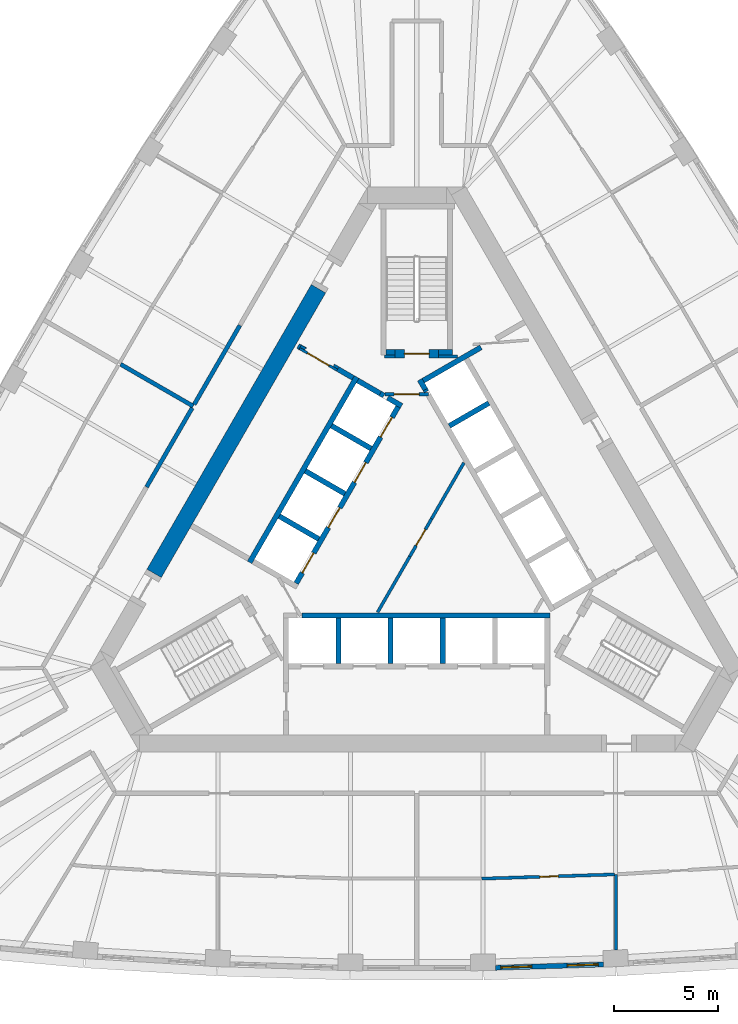
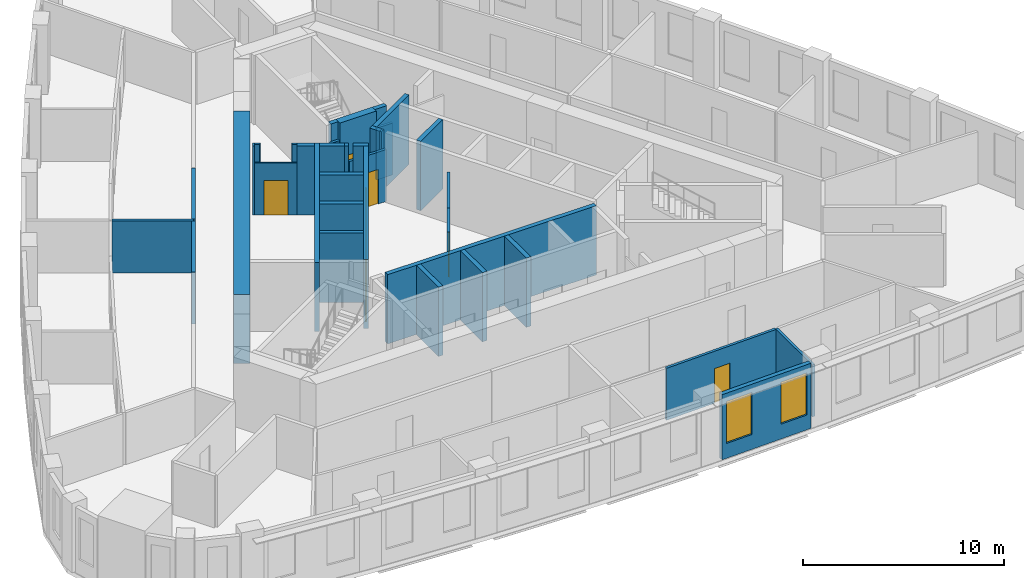
# One storey, part 5 of 10: 37 walls, 9 doors, 2 windows, 11 openings.
"""IFC4 building model written with IfcOpenShell, lengths in metres."""

from ifc_helpers import new_model, si_unit, direction, frame, frame_2d, origin, place, context, subcontext, project, spatial, polyline, rectangle, outline, extrude, material, layer, layer_set, type_object, element, fill, save


model = new_model("IFC4")

# Units and contexts
model_context = context("Model", 3, precision=1e-05, world=origin(), true_north=direction((0.0, 1.0)))
body_context = subcontext(model_context, "Body", "Model", "MODEL_VIEW")
ifc_project = project(units=[si_unit("LENGTHUNIT", "METRE"), si_unit("AREAUNIT", "SQUARE_METRE"), si_unit("VOLUMEUNIT", "CUBIC_METRE"), si_unit("PLANEANGLEUNIT", "RADIAN"), si_unit("MASSUNIT", "GRAM", prefix="KILO")], contexts=[model_context])

# Site, building, storey
site_placement = place(None, origin())
site = spatial("IfcSite", under=ifc_project, at=site_placement, CompositionType="ELEMENT")
building_placement = place(site_placement, origin())
building = spatial("IfcBuilding", under=site, at=building_placement, Name="Mestral Congress Tower", CompositionType="ELEMENT")
storey_placement = place(building_placement, frame((0.0, 0.0, 154.199951171875)))
storey = spatial("IfcBuildingStorey", under=building, at=storey_placement, Name="L36", CompositionType="ELEMENT", Elevation=154.199951171875)

# Walls
ifc_material_1 = material(Name="Fire-rated board partition")
ifc_layer_1 = layer(ifc_material_1, 0.14990234375)
ifc_layer_set_1 = layer_set([ifc_layer_1], Name="Fire-rated board partition")
wall_type_1 = type_object("IfcWallType", Name="Core partition 150", PredefinedType="PARTITIONING", material=ifc_layer_set_1)
wall_1_placement = place(storey_placement, frame((1.050048828125, 8.62548828125, 0.0), z_axis=(0.0, 0.0, 1.0), x_axis=(1.0, 0.0, 0.0)))
element("IfcWall", 1, at=wall_1_placement, inside=storey, type_object=wall_type_1, Name="L36 core wall", PredefinedType="PARTITIONING", context=body_context, shape_type="SweptSolid", body=[
    extrude(rectangle(XDim=0.9287109375, YDim=0.14990234375, at=frame_2d((0.46435546875, 0.0))), origin(), (0.0, 0.0, 1.0), 3.150146484375),
])
wall_2_placement = place(storey_placement, frame((-1.56396484375, 8.62548828125, 0.0), z_axis=(0.0, 0.0, 1.0), x_axis=(1.0, 0.0, 0.0)))
element("IfcWall", 2, at=wall_2_placement, inside=storey, type_object=wall_type_1, Name="L36 core wall", PredefinedType="PARTITIONING", context=body_context, shape_type="SweptSolid", body=[
    extrude(rectangle(XDim=0.513916015625, YDim=0.14990234375, at=frame_2d((0.2568359375, 0.0))), origin(), (0.0, 0.0, 1.0), 3.150146484375),
])
wall_3_placement = place(storey_placement, frame((-1.886962890625, -3.71826171875, 0.0), z_axis=(0.0, 0.0, 1.0), x_axis=(0.500043732237, 0.866000153493, 0.0)))
element("IfcWall", 3, at=wall_3_placement, inside=storey, type_object=wall_type_1, Name="L36 core wall", PredefinedType="PARTITIONING", context=body_context, shape_type="SweptSolid", body=[
    extrude(rectangle(XDim=3.113525390625, YDim=0.14990234375, at=frame_2d((1.556640625, 0.0))), origin(), (0.0, 0.0, 1.0), 3.150146484375),
])
wall_4_placement = place(storey_placement, frame((0.719970703125, 0.796875, 0.0), z_axis=(0.0, 0.0, 1.0), x_axis=(0.499984921984, 0.866034108906, 0.0)))
element("IfcWall", 4, at=wall_4_placement, inside=storey, type_object=wall_type_1, Name="L36 core wall", PredefinedType="PARTITIONING", context=body_context, shape_type="SweptSolid", body=[
    extrude(rectangle(XDim=3.11328125, YDim=0.14990234375, at=frame_2d((1.556640625, 0.0))), origin(), (0.0, 0.0, 1.0), 3.150146484375),
])

# Wall, opening, door
wall_5_placement = place(storey_placement, frame((-0.330078125, -1.021728515625, 0.0), z_axis=(0.0, 0.0, 1.0), x_axis=(0.500027713859, 0.866009402589, 0.0)))
wall_5 = element("IfcWall", 5, at=wall_5_placement, inside=storey, type_object=wall_type_1, Name="L36 door wall", PredefinedType="PARTITIONING", context=body_context, shape_type="SweptSolid", body=[
    extrude(rectangle(XDim=2.10009765625, YDim=0.14990234375, at=frame_2d((1.050048828125, 0.0))), origin(), (0.0, 0.0, 1.0), 3.150146484375),
])
opening_1_placement = place(wall_5_placement, frame((0.60009765625, 0.0, 0.0)))
opening_1 = element("IfcOpeningElement", 6, at=opening_1_placement, cuts=wall_5, Name="Opening CD1-HUB0", PredefinedType="OPENING", context=body_context, shape_type="SweptSolid", body=[
    extrude(rectangle(XDim=0.89990234375, YDim=2.10009765625, at=frame_2d((0.449951171875, 1.050048828125))), frame((0.0, 0.0849609375, 0.0), z_axis=(0.0, -1.0, 0.0), x_axis=(1.0, 0.0, 0.0)), (0.0, 0.0, 1.0), 0.169921875),
])
ifc_material_2 = material(Name="Fire-rated steel door set", Category="steel")
door_type_1 = type_object("IfcDoorType", Name="Core door CD 900x2100", OperationType="SINGLE_SWING_LEFT", PredefinedType="DOOR", material=ifc_material_2)
door_1_placement = place(opening_1_placement, origin())
door_1 = element("IfcDoor", 7, at=door_1_placement, inside=storey, type_object=door_type_1, Name="Door CD1-HUB0", OperationType="SINGLE_SWING_LEFT", OverallHeight=2.10009765625, OverallWidth=0.89990234375, PredefinedType="DOOR", context=body_context, shape_type="SweptSolid", body=[
    extrude(rectangle(XDim=0.89990234375, YDim=2.10009765625, at=frame_2d((0.449951171875, 1.050048828125))), frame((0.0, 0.02490234375, 0.0), z_axis=(0.0, -1.0, 0.0), x_axis=(1.0, 0.0, 0.0)), (0.0, 0.0, 1.0), 0.050048828125),
])
fill(opening_1, door_1)

wall_6_placement = place(storey_placement, frame((-1.534423828125, 6.800048828125, 0.0), z_axis=(0.0, 0.0, 1.0), x_axis=(1.0, 0.0, 0.0)))
wall_6 = element("IfcWall", 8, at=wall_6_placement, inside=storey, type_object=wall_type_1, Name="L36 door wall", PredefinedType="PARTITIONING", context=body_context, shape_type="SweptSolid", body=[
    extrude(rectangle(XDim=2.099853515625, YDim=0.14990234375, at=frame_2d((1.0498046875, 0.0))), origin(), (0.0, 0.0, 1.0), 3.150146484375),
])
opening_2_placement = place(wall_6_placement, frame((0.449951171875, 0.0, 0.0)))
opening_2 = element("IfcOpeningElement", 9, at=opening_2_placement, cuts=wall_6, Name="Opening CD2-FF", PredefinedType="OPENING", context=body_context, shape_type="SweptSolid", body=[
    extrude(rectangle(XDim=1.199951171875, YDim=2.10009765625, at=frame_2d((0.60009765625, 1.050048828125))), frame((0.0, 0.0849609375, 0.0), z_axis=(0.0, -1.0, 0.0), x_axis=(1.0, 0.0, 0.0)), (0.0, 0.0, 1.0), 0.169921875),
])
door_type_2 = type_object("IfcDoorType", Name="Core door CD 1200x2100", OperationType="SINGLE_SWING_LEFT", PredefinedType="DOOR", material=ifc_material_2)
door_2_placement = place(opening_2_placement, origin())
door_2 = element("IfcDoor", 10, at=door_2_placement, inside=storey, type_object=door_type_2, Name="Door CD2-FF", OperationType="SINGLE_SWING_LEFT", OverallHeight=2.10009765625, OverallWidth=1.199951171875, PredefinedType="DOOR", context=body_context, shape_type="SweptSolid", body=[
    extrude(rectangle(XDim=1.199951171875, YDim=2.10009765625, at=frame_2d((0.60009765625, 1.050048828125))), frame((0.0, 0.02490234375, 0.0), z_axis=(0.0, -1.0, 0.0), x_axis=(1.0, 0.0, 0.0)), (0.0, 0.0, 1.0), 0.050048828125),
])
fill(opening_2, door_2)

ifc_layer_2 = layer(ifc_material_1, 0.1201171875)
ifc_layer_set_2 = layer_set([ifc_layer_2], Name="Fire-rated board partition")
wall_type_2 = type_object("IfcWallType", Name="Core partition 150 door-wall 120", PredefinedType="PARTITIONING", material=ifc_layer_set_2)
wall_7_placement = place(storey_placement, frame((-5.65869140625, 9.01171875, 0.0), z_axis=(0.0, 0.0, 1.0), x_axis=(0.866009402589, -0.500027713859, 0.0)))
wall_7 = element("IfcWall", 11, at=wall_7_placement, inside=storey, type_object=wall_type_2, Name="L36 door wall", PredefinedType="PARTITIONING", context=body_context, shape_type="SweptSolid", body=[
    extrude(rectangle(XDim=2.10009765625, YDim=0.1201171875, at=frame_2d((1.050048828125, 0.0))), origin(), (0.0, 0.0, 1.0), 3.150146484375),
])
opening_3_placement = place(wall_7_placement, frame((0.449951171875, 0.0, 0.0)))
opening_3 = element("IfcOpeningElement", 12, at=opening_3_placement, cuts=wall_7, Name="Opening LB2-WL2", PredefinedType="OPENING", context=body_context, shape_type="SweptSolid", body=[
    extrude(rectangle(XDim=1.199951171875, YDim=2.10009765625, at=frame_2d((0.60009765625, 1.050048828125))), frame((0.0, 0.070068359375, 0.0), z_axis=(0.0, -1.0, 0.0), x_axis=(1.0, 0.0, 0.0)), (0.0, 0.0, 1.0), 0.14013671875),
])
door_type_3 = type_object("IfcDoorType", Name="Core door LB 1200x2100", OperationType="SINGLE_SWING_LEFT", PredefinedType="DOOR", material=ifc_material_2)
door_3_placement = place(opening_3_placement, origin())
door_3 = element("IfcDoor", 13, at=door_3_placement, inside=storey, type_object=door_type_3, Name="Door LB2-WL2", OperationType="SINGLE_SWING_LEFT", OverallHeight=2.10009765625, OverallWidth=1.199951171875, PredefinedType="DOOR", context=body_context, shape_type="SweptSolid", body=[
    extrude(rectangle(XDim=1.199951171875, YDim=2.10009765625, at=frame_2d((0.60009765625, 1.050048828125))), frame((0.0, 0.02490234375, 0.0), z_axis=(0.0, -1.0, 0.0), x_axis=(1.0, 0.0, 0.0)), (0.0, 0.0, 1.0), 0.050048828125),
])
fill(opening_3, door_3)

# Wall
ifc_material_3 = material(Name="Concrete C60/75", Category="concrete")
ifc_layer_3 = layer(ifc_material_3, 0.800048828125)
ifc_layer_set_3 = layer_set([ifc_layer_3], Name="Concrete C60/75")
wall_type_3 = type_object("IfcWallType", Name="Core wall RC 800", PredefinedType="SOLIDWALL", material=ifc_layer_set_3)
wall_8_placement = place(storey_placement, frame((-12.668212890625, -1.841796875, 0.0), z_axis=(0.0, 0.0, 1.0), x_axis=(0.500003640647, 0.866023301845, 0.0)))
element("IfcWall", 14, at=wall_8_placement, inside=storey, type_object=wall_type_3, Name="L36 core wall", PredefinedType="SOLIDWALL", context=body_context, shape_type="SweptSolid", body=[
    extrude(rectangle(XDim=15.8583984375, YDim=0.800048828125, at=frame_2d((7.92919921875, 0.0))), origin(), (0.0, 0.0, 1.0), 4.199951171875),
])

# Wall, openings, windows
ifc_material_4 = material(Name="Precast concrete C40/50 with limestone facing", Category="masonry")
ifc_layer_4 = layer(ifc_material_4, 0.239990234375)
ifc_layer_set_4 = layer_set([ifc_layer_4], Name="Precast concrete C40/50 with limestone facing")
wall_type_4 = type_object("IfcWallType", Name="Facade stone wall 240", PredefinedType="SOLIDWALL", material=ifc_layer_set_4)
wall_9_placement = place(storey_placement, frame((3.80615234375, -20.869873046875, 0.0), z_axis=(0.0, 0.0, 1.0), x_axis=(0.999533441983, 0.030543384845, 0.0)))
wall_9 = element("IfcWall", 15, at=wall_9_placement, inside=storey, type_object=wall_type_4, Name="Facade wall F0-04", PredefinedType="SOLIDWALL", context=body_context, shape_type="SweptSolid", body=[
    extrude(rectangle(XDim=5.20361328125, YDim=0.239990234375, at=frame_2d((2.601806640625, 0.0))), origin(), (0.0, 0.0, 1.0), 3.949951171875),
])
opening_4_placement = place(wall_9_placement, frame((0.248291015625, 0.0, 0.89990234375)))
opening_4 = element("IfcOpeningElement", 16, at=opening_4_placement, cuts=wall_9, Name="Opening W4", PredefinedType="OPENING", context=body_context, shape_type="SweptSolid", body=[
    extrude(rectangle(XDim=1.5, YDim=2.550048828125, at=frame_2d((0.75, 1.27490234375))), frame((0.0, 0.1298828125, 0.0), z_axis=(0.0, -1.0, 0.0), x_axis=(1.0, 0.0, 0.0)), (0.0, 0.0, 1.0), 0.260009765625),
])
opening_5_placement = place(wall_9_placement, frame((3.455078125, 0.0, 0.89990234375)))
opening_5 = element("IfcOpeningElement", 17, at=opening_5_placement, cuts=wall_9, Name="Opening W4", PredefinedType="OPENING", context=body_context, shape_type="SweptSolid", body=[
    extrude(rectangle(XDim=1.5, YDim=2.550048828125, at=frame_2d((0.75, 1.27490234375))), frame((0.0, 0.1298828125, 0.0), z_axis=(0.0, -1.0, 0.0), x_axis=(1.0, 0.0, 0.0)), (0.0, 0.0, 1.0), 0.260009765625),
])
ifc_material_5 = material(Name="Clear low-emissivity double glazing", Category="glass")
window_type = type_object("IfcWindowType", Name="Facade punched window 1500 x 2550 sill 900", PartitioningType="SINGLE_PANEL", PredefinedType="WINDOW", material=ifc_material_5)
window_1_placement = place(opening_4_placement, origin())
window_1 = element("IfcWindow", 18, at=window_1_placement, inside=storey, type_object=window_type, Name="Window F0-04a", OverallHeight=2.550048828125, OverallWidth=1.5, PartitioningType="SINGLE_PANEL", PredefinedType="WINDOW", context=body_context, shape_type="SweptSolid", body=[
    extrude(rectangle(XDim=1.5, YDim=2.550048828125, at=frame_2d((0.75, 1.27490234375))), frame((0.0, 0.0400390625, 0.0), z_axis=(0.0, -1.0, 0.0), x_axis=(1.0, 0.0, 0.0)), (0.0, 0.0, 1.0), 0.06005859375),
])
fill(opening_4, window_1)
window_2_placement = place(opening_5_placement, origin())
window_2 = element("IfcWindow", 19, at=window_2_placement, inside=storey, type_object=window_type, Name="Window F0-04b", OverallHeight=2.550048828125, OverallWidth=1.5, PartitioningType="SINGLE_PANEL", PredefinedType="WINDOW", context=body_context, shape_type="SweptSolid", body=[
    extrude(rectangle(XDim=1.5, YDim=2.550048828125, at=frame_2d((0.75, 1.27490234375))), frame((0.0, 0.0400390625, 0.0), z_axis=(0.0, -1.0, 0.0), x_axis=(1.0, 0.0, 0.0)), (0.0, 0.0, 1.0), 0.06005859375),
])
fill(opening_5, window_2)

# Wall
ifc_material_6 = material(Name="Plasterboard partition on steel studs", Category="steel")
ifc_layer_5 = layer(ifc_material_6, 0.14990234375)
ifc_layer_set_5 = layer_set([ifc_layer_5], Name="Plasterboard partition on steel studs")
wall_type_5 = type_object("IfcWallType", Name="Office partition 150", PredefinedType="PARTITIONING", material=ifc_layer_set_5)
wall_10_placement = place(storey_placement, frame((9.6171875, -16.364013671875, 0.0), z_axis=(0.0, 0.0, 1.0), x_axis=(0.0, -1.0, 0.0)))
element("IfcWall", 20, at=wall_10_placement, inside=storey, type_object=wall_type_5, Name="Partition", PredefinedType="PARTITIONING", context=body_context, shape_type="SweptSolid", body=[
    extrude(rectangle(XDim=3.6474609375, YDim=0.14990234375, at=frame_2d((1.82373046875, 0.0))), origin(), (0.0, 0.0, 1.0), 3.150146484375),
])

# Wall, opening, door
wall_11_placement = place(storey_placement, frame((9.542236328125, -16.366455078125, 0.0), z_axis=(0.0, 0.0, 1.0), x_axis=(-0.999504575396, -0.031473858384, 0.0)))
wall_11 = element("IfcWall", 21, at=wall_11_placement, inside=storey, type_object=wall_type_5, Name="Partition", PredefinedType="PARTITIONING", context=body_context, shape_type="SweptSolid", body=[
    extrude(rectangle(XDim=6.4072265625, YDim=0.14990234375, at=frame_2d((3.20361328125, 0.0))), origin(), (0.0, 0.0, 1.0), 3.150146484375),
])
opening_6_placement = place(wall_11_placement, frame((2.707275390625, 0.0, 0.0)))
opening_6 = element("IfcOpeningElement", 22, at=opening_6_placement, cuts=wall_11, Name="Opening O02-001", PredefinedType="OPENING", context=body_context, shape_type="SweptSolid", body=[
    extrude(rectangle(XDim=0.89990234375, YDim=2.10009765625, at=frame_2d((0.449951171875, 1.050048828125))), frame((0.0, 0.0849609375, 0.0), z_axis=(0.0, -1.0, 0.0), x_axis=(1.0, 0.0, 0.0)), (0.0, 0.0, 1.0), 0.169921875),
])
ifc_material_7 = material(Name="Timber door set", Category="wood")
door_type_4 = type_object("IfcDoorType", Name="Office door 900x2100", OperationType="SINGLE_SWING_LEFT", PredefinedType="DOOR", material=ifc_material_7)
door_4_placement = place(opening_6_placement, origin())
door_4 = element("IfcDoor", 23, at=door_4_placement, inside=storey, type_object=door_type_4, Name="Door O02-001", OperationType="SINGLE_SWING_LEFT", OverallHeight=2.10009765625, OverallWidth=0.89990234375, PredefinedType="DOOR", context=body_context, shape_type="SweptSolid", body=[
    extrude(rectangle(XDim=0.89990234375, YDim=2.10009765625, at=frame_2d((0.449951171875, 1.050048828125))), frame((0.0, 0.02490234375, 0.0), z_axis=(0.0, -1.0, 0.0), x_axis=(1.0, 0.0, 0.0)), (0.0, 0.0, 1.0), 0.050048828125),
])
fill(opening_6, door_4)

# Walls
ifc_material_8 = material(Name="Dense masonry wall, plastered", Category="masonry")
ifc_layer_6 = layer(ifc_material_8, 0.199951171875)
ifc_layer_set_6 = layer_set([ifc_layer_6], Name="Dense masonry wall, plastered")
wall_type_6 = type_object("IfcWallType", Name="Office tenancy wall 200", PredefinedType="PARTITIONING", material=ifc_layer_set_6)
wall_12_placement = place(storey_placement, frame((-10.781982421875, 6.22509765625, 0.0), z_axis=(0.0, 0.0, 1.0), x_axis=(-0.866034752867, 0.499983806564, 0.0)))
element("IfcWall", 24, at=wall_12_placement, inside=storey, type_object=wall_type_6, Name="Tenancy wall", PredefinedType="PARTITIONING", context=body_context, shape_type="SweptSolid", body=[
    extrude(rectangle(XDim=4.043212890625, YDim=0.199951171875, at=frame_2d((2.021484375, 0.0))), origin(), (0.0, 0.0, 1.0), 3.150146484375),
])
for number, where, z_axis, x_axis, name in (
    (25, (-8.531982421875, 10.1220703125, 0.0), (0.0, 0.0, 1.0), (-0.499988222896, -0.866032203192, 0.0), "Tenancy wall"),
    (26, (-10.83203125, 6.138427734375, 0.0), (0.0, 0.0, 1.0), (-0.499988222896, -0.866032203192, 0.0), "Tenancy wall"),
):
    element("IfcWall", number, at=place(storey_placement, frame(where, z_axis=z_axis, x_axis=x_axis)), inside=storey, type_object=wall_type_6, Name=name, PredefinedType="PARTITIONING", context=body_context, shape_type="SweptSolid", body=[
        extrude(rectangle(XDim=4.39990234375, YDim=0.199951171875, at=frame_2d((2.199951171875, 0.0))), origin(), (0.0, 0.0, 1.0), 3.150146484375),
    ])
ifc_layer_7 = layer(ifc_material_3, 0.25)
ifc_layer_set_7 = layer_set([ifc_layer_7], Name="Concrete C60/75")
wall_type_7 = type_object("IfcWallType", Name="Shaft wall RC 250", PredefinedType="SOLIDWALL", material=ifc_layer_set_7)
wall_13_placement = place(storey_placement, frame((-5.544921875, -3.875, 0.0), z_axis=(0.0, 0.0, 1.0), x_axis=(1.0, 0.0, 0.0)))
element("IfcWall", 27, at=wall_13_placement, inside=storey, type_object=wall_type_7, Name="L36 core wall", PredefinedType="SOLIDWALL", context=body_context, shape_type="SweptSolid", body=[
    extrude(rectangle(XDim=11.969970703125, YDim=0.25, at=frame_2d((5.98486328125, 0.0))), origin(), (0.0, 0.0, 1.0), 4.199951171875),
])
for number, where, z_axis, x_axis, name in (
    (28, (1.260009765625, -4.0, 0.0), (0.0, 0.0, 1.0), (0.0, -1.0, 0.0), "L36 core wall"),
    (29, (-1.260009765625, -4.0, 0.0), (0.0, 0.0, 1.0), (0.0, -1.0, 0.0), "L36 core wall"),
    (30, (-3.780029296875, -4.0, 0.0), (0.0, 0.0, 1.0), (0.0, -1.0, 0.0), "L36 core wall"),
):
    element("IfcWall", number, at=place(storey_placement, frame(where, z_axis=z_axis, x_axis=x_axis)), inside=storey, type_object=wall_type_7, Name=name, PredefinedType="SOLIDWALL", context=body_context, shape_type="SweptSolid", body=[
        extrude(rectangle(XDim=2.199951171875, YDim=0.25, at=frame_2d((1.10009765625, 0.0))), origin(), (0.0, 0.0, 1.0), 4.199951171875),
    ])
wall_14_placement = place(storey_placement, frame((0.473388671875, 6.93017578125, 0.0), z_axis=(0.0, 0.0, 1.0), x_axis=(-0.49972245349, 0.866185586049, 0.0)))
element("IfcWall", 31, at=wall_14_placement, inside=storey, type_object=wall_type_7, Name="L36 core wall", PredefinedType="SOLIDWALL", context=body_context, shape_type="SweptSolid", body=[
    extrude(rectangle(XDim=0.10986328125, YDim=0.25, at=frame_2d((0.054931640625, 0.0))), origin(), (0.0, 0.0, 1.0), 4.199951171875),
])
wall_15_placement = place(storey_placement, frame((0.41748046875, 7.027099609375, 0.0), z_axis=(0.0, 0.0, 1.0), x_axis=(-0.500210807569, 0.865903659763, 0.0)))
element("IfcWall", 32, at=wall_15_placement, inside=storey, type_object=wall_type_7, Name="L36 core wall", PredefinedType="SOLIDWALL", context=body_context, shape_type="SweptSolid", body=[
    extrude(rectangle(XDim=0.548095703125, YDim=0.25, at=frame_2d((0.27392578125, 0.0))), origin(), (0.0, 0.0, 1.0), 4.199951171875),
])
wall_16_placement = place(storey_placement, frame((3.10009765625, 9.064453125, 0.0), z_axis=(0.0, 0.0, 1.0), x_axis=(-0.866030133475, -0.499991807846, 0.0)))
element("IfcWall", 33, at=wall_16_placement, inside=storey, type_object=wall_type_7, Name="L36 core wall", PredefinedType="SOLIDWALL", context=body_context, shape_type="SweptSolid", body=[
    extrude(rectangle(XDim=3.216796875, YDim=0.25, at=frame_2d((1.6083984375, 0.0))), origin(), (0.0, 0.0, 1.0), 4.199951171875),
])
wall_17_placement = place(storey_placement, frame((1.57421875, 5.273681640625, 0.0), z_axis=(0.0, 0.0, 1.0), x_axis=(0.866028486751, 0.499994660107, 0.0)))
element("IfcWall", 34, at=wall_17_placement, inside=storey, type_object=wall_type_7, Name="L36 core wall", PredefinedType="SOLIDWALL", context=body_context, shape_type="SweptSolid", body=[
    extrude(rectangle(XDim=2.19970703125, YDim=0.25, at=frame_2d((1.099853515625, 0.0))), origin(), (0.0, 0.0, 1.0), 4.199951171875),
])
wall_18_placement = place(storey_placement, frame((-8.06005859375, -1.310546875, 0.0), z_axis=(0.0, 0.0, 1.0), x_axis=(0.50000273126, 0.866023826885, 0.0)))
element("IfcWall", 35, at=wall_18_placement, inside=storey, type_object=wall_type_7, Name="L36 core wall", PredefinedType="SOLIDWALL", context=body_context, shape_type="SweptSolid", body=[
    extrude(rectangle(XDim=10.330078125, YDim=0.25, at=frame_2d((5.1650390625, 0.0))), origin(), (0.0, 0.0, 1.0), 4.199951171875),
])
wall_19_placement = place(storey_placement, frame((-1.75830078125, 6.834716796875, 0.0), z_axis=(0.0, 0.0, 1.0), x_axis=(0.865982457891, -0.500074377092, 0.0)))
element("IfcWall", 36, at=wall_19_placement, inside=storey, type_object=wall_type_7, Name="L36 core wall", PredefinedType="SOLIDWALL", context=body_context, shape_type="SweptSolid", body=[
    extrude(rectangle(XDim=0.2001953125, YDim=0.25, at=frame_2d((0.10009765625, 0.0))), origin(), (0.0, 0.0, 1.0), 4.199951171875),
])
wall_20_placement = place(storey_placement, frame((-1.760009765625, 6.835693359375, 0.0), z_axis=(0.0, 0.0, 1.0), x_axis=(-0.865952863304, 0.500125622755, 0.0)))
element("IfcWall", 37, at=wall_20_placement, inside=storey, type_object=wall_type_7, Name="L36 core wall", PredefinedType="SOLIDWALL", context=body_context, shape_type="SweptSolid", body=[
    extrude(rectangle(XDim=1.258056640625, YDim=0.25, at=frame_2d((0.62890625, 0.0))), origin(), (0.0, 0.0, 1.0), 4.199951171875),
])
wall_21_placement = place(storey_placement, frame((-0.7275390625, 6.23974609375, 0.0), z_axis=(0.0, 0.0, 1.0), x_axis=(-0.865955664968, 0.500120771724, 0.0)))
element("IfcWall", 38, at=wall_21_placement, inside=storey, type_object=wall_type_7, Name="L36 core wall", PredefinedType="SOLIDWALL", context=body_context, shape_type="SweptSolid", body=[
    extrude(rectangle(XDim=0.778076171875, YDim=0.25, at=frame_2d((0.38916015625, 0.0))), origin(), (0.0, 0.0, 1.0), 4.199951171875),
])
for number, where, z_axis, x_axis, name in (
    (39, (-2.2041015625, 4.182373046875, 0.0), (0.0, 0.0, 1.0), (-0.866008176907, 0.50002983664, 0.0), "L36 core wall"),
    (40, (-5.369384765625, 3.10009765625, 0.0), (0.0, 0.0, 1.0), (0.866008176907, -0.50002983664, 0.0), "L36 core wall"),
    (41, (-4.72412109375, -0.182373046875, 0.0), (0.0, 0.0, 1.0), (-0.866008176907, 0.50002983664, 0.0), "L36 core wall"),
):
    element("IfcWall", number, at=place(storey_placement, frame(where, z_axis=z_axis, x_axis=x_axis)), inside=storey, type_object=wall_type_7, Name=name, PredefinedType="SOLIDWALL", context=body_context, shape_type="SweptSolid", body=[
        extrude(rectangle(XDim=2.199951171875, YDim=0.25, at=frame_2d((1.10009765625, 0.0))), origin(), (0.0, 0.0, 1.0), 4.199951171875),
    ])
wall_22_placement = place(storey_placement, frame((-5.724609375, 9.124755859375, 0.0), z_axis=(0.0, 0.0, 1.0), x_axis=(0.866185586049, -0.49972245349, 0.0)))
element("IfcWall", 42, at=wall_22_placement, inside=storey, type_object=wall_type_7, Name="L36 core wall", PredefinedType="SOLIDWALL", context=body_context, shape_type="SweptSolid", body=[
    extrude(rectangle(XDim=0.10986328125, YDim=0.25, at=frame_2d((0.054931640625, 0.0))), origin(), (0.0, 0.0, 1.0), 4.199951171875),
])
wall_23_placement = place(storey_placement, frame((-3.06591796875, 7.58984375, 0.0), z_axis=(0.0, 0.0, 1.0), x_axis=(-0.866081358704, 0.49990307071, 0.0)))
element("IfcWall", 43, at=wall_23_placement, inside=storey, type_object=wall_type_7, Name="L36 core wall", PredefinedType="SOLIDWALL", context=body_context, shape_type="SweptSolid", body=[
    extrude(rectangle(XDim=0.858154296875, YDim=0.25, at=frame_2d((0.42919921875, 0.0))), origin(), (0.0, 0.0, 1.0), 4.199951171875),
])
placement = place(storey_placement, origin())
element("IfcWall", 44, at=placement, inside=storey, type_object=wall_type_7, Name="L36 core wall", PredefinedType="SOLIDWALL", context=body_context, shape_type="SweptSolid", body=[
    extrude(outline(polyline([(-3.748291015625, 8.1279296875), (-3.813232421875, 8.015380859375), (-4.026611328125, 8.138671875), (-4.0166015625, 8.156005859375), (-4.007568359375, 8.17333984375), (-4.000244140625, 8.191650390625), (-3.994873046875, 8.21044921875), (-3.991455078125, 8.229736328125), (-3.98974609375, 8.24951171875), (-3.989990234375, 8.267578125), (-3.748291015625, 8.1279296875)])), origin(), (0.0, 0.0, 1.0), 4.199951171875),
])
element("IfcWall", 45, at=placement, inside=storey, type_object=wall_type_7, Name="L36 core wall", PredefinedType="SOLIDWALL", context=body_context, shape_type="SweptSolid", body=[
    extrude(outline(polyline([(-5.688720703125, 8.959716796875), (-5.690185546875, 8.960693359375), (-5.565185546875, 9.177001953125), (-5.318603515625, 9.03466796875), (-5.334716796875, 9.02587890625), (-5.3505859375, 9.0146484375), (-5.36572265625, 9.001953125), (-5.37939453125, 8.98779296875), (-5.3916015625, 8.972412109375), (-5.402099609375, 8.955810546875), (-5.412109375, 8.938720703125), (-5.628662109375, 9.063720703125), (-5.628662109375, 9.063720703125), (-5.688720703125, 8.959716796875)])), origin(), (0.0, 0.0, 1.0), 4.199951171875),
])

# Wall, openings, doors
wall_26_placement = place(storey_placement, frame((-0.898193359375, 6.194091796875, 0.0), z_axis=(0.0, 0.0, 1.0), x_axis=(-0.499996202215, -0.866027596426, 0.0)))
wall_26 = element("IfcWall", 46, at=wall_26_placement, inside=storey, type_object=wall_type_7, Name="L36 door wall", PredefinedType="SOLIDWALL", context=body_context, shape_type="SweptSolid", body=[
    extrude(rectangle(XDim=9.830078125, YDim=0.25, at=frame_2d((4.9150390625, 0.0))), origin(), (0.0, 0.0, 1.0), 4.199951171875),
])
opening_7_placement = place(wall_26_placement, frame((0.5849609375, 0.0, 0.0)))
opening_7 = element("IfcOpeningElement", 47, at=opening_7_placement, cuts=wall_26, Name="Opening LD-NWB1", PredefinedType="OPENING", context=body_context, shape_type="SweptSolid", body=[
    extrude(rectangle(XDim=1.10009765625, YDim=2.10009765625, at=frame_2d((0.550048828125, 1.050048828125))), frame((0.0, 0.135009765625, 0.0), z_axis=(0.0, -1.0, 0.0), x_axis=(1.0, 0.0, 0.0)), (0.0, 0.0, 1.0), 0.27001953125),
])
opening_8_placement = place(wall_26_placement, frame((3.10498046875, 0.0, 0.0)))
opening_8 = element("IfcOpeningElement", 48, at=opening_8_placement, cuts=wall_26, Name="Opening LD-NWB2", PredefinedType="OPENING", context=body_context, shape_type="SweptSolid", body=[
    extrude(rectangle(XDim=1.10009765625, YDim=2.10009765625, at=frame_2d((0.550048828125, 1.050048828125))), frame((0.0, 0.135009765625, 0.0), z_axis=(0.0, -1.0, 0.0), x_axis=(1.0, 0.0, 0.0)), (0.0, 0.0, 1.0), 0.27001953125),
])
opening_9_placement = place(wall_26_placement, frame((5.625, 0.0, 0.0)))
opening_9 = element("IfcOpeningElement", 49, at=opening_9_placement, cuts=wall_26, Name="Opening LD-NWB3", PredefinedType="OPENING", context=body_context, shape_type="SweptSolid", body=[
    extrude(rectangle(XDim=1.10009765625, YDim=2.10009765625, at=frame_2d((0.550048828125, 1.050048828125))), frame((0.0, 0.135009765625, 0.0), z_axis=(0.0, -1.0, 0.0), x_axis=(1.0, 0.0, 0.0)), (0.0, 0.0, 1.0), 0.27001953125),
])
opening_10_placement = place(wall_26_placement, frame((8.14501953125, 0.0, 0.0)))
opening_10 = element("IfcOpeningElement", 50, at=opening_10_placement, cuts=wall_26, Name="Opening LD-NWB4", PredefinedType="OPENING", context=body_context, shape_type="SweptSolid", body=[
    extrude(rectangle(XDim=1.10009765625, YDim=2.10009765625, at=frame_2d((0.550048828125, 1.050048828125))), frame((0.0, 0.135009765625, 0.0), z_axis=(0.0, -1.0, 0.0), x_axis=(1.0, 0.0, 0.0)), (0.0, 0.0, 1.0), 0.27001953125),
])
door_type_5 = type_object("IfcDoorType", Name="Core door LD 1100x2100", OperationType="DOUBLE_DOOR_SLIDING", PredefinedType="DOOR", material=ifc_material_2)
door_5_placement = place(opening_7_placement, origin())
door_5 = element("IfcDoor", 51, at=door_5_placement, inside=storey, type_object=door_type_5, Name="Door LD-NWB1", OperationType="DOUBLE_DOOR_SLIDING", OverallHeight=2.10009765625, OverallWidth=1.10009765625, PredefinedType="DOOR", context=body_context, shape_type="SweptSolid", body=[
    extrude(rectangle(XDim=1.10009765625, YDim=2.10009765625, at=frame_2d((0.550048828125, 1.050048828125))), frame((0.0, 0.02490234375, 0.0), z_axis=(0.0, -1.0, 0.0), x_axis=(1.0, 0.0, 0.0)), (0.0, 0.0, 1.0), 0.050048828125),
])
fill(opening_7, door_5)
door_6_placement = place(opening_8_placement, origin())
door_6 = element("IfcDoor", 52, at=door_6_placement, inside=storey, type_object=door_type_5, Name="Door LD-NWB2", OperationType="DOUBLE_DOOR_SLIDING", OverallHeight=2.10009765625, OverallWidth=1.10009765625, PredefinedType="DOOR", context=body_context, shape_type="SweptSolid", body=[
    extrude(rectangle(XDim=1.10009765625, YDim=2.10009765625, at=frame_2d((0.550048828125, 1.050048828125))), frame((0.0, 0.02490234375, 0.0), z_axis=(0.0, -1.0, 0.0), x_axis=(1.0, 0.0, 0.0)), (0.0, 0.0, 1.0), 0.050048828125),
])
fill(opening_8, door_6)
door_7_placement = place(opening_9_placement, origin())
door_7 = element("IfcDoor", 53, at=door_7_placement, inside=storey, type_object=door_type_5, Name="Door LD-NWB3", OperationType="DOUBLE_DOOR_SLIDING", OverallHeight=2.10009765625, OverallWidth=1.10009765625, PredefinedType="DOOR", context=body_context, shape_type="SweptSolid", body=[
    extrude(rectangle(XDim=1.10009765625, YDim=2.10009765625, at=frame_2d((0.550048828125, 1.050048828125))), frame((0.0, 0.02490234375, 0.0), z_axis=(0.0, -1.0, 0.0), x_axis=(1.0, 0.0, 0.0)), (0.0, 0.0, 1.0), 0.050048828125),
])
fill(opening_9, door_7)
door_8_placement = place(opening_10_placement, origin())
door_8 = element("IfcDoor", 54, at=door_8_placement, inside=storey, type_object=door_type_5, Name="Door LD-NWB4", OperationType="DOUBLE_DOOR_SLIDING", OverallHeight=2.10009765625, OverallWidth=1.10009765625, PredefinedType="DOOR", context=body_context, shape_type="SweptSolid", body=[
    extrude(rectangle(XDim=1.10009765625, YDim=2.10009765625, at=frame_2d((0.550048828125, 1.050048828125))), frame((0.0, 0.02490234375, 0.0), z_axis=(0.0, -1.0, 0.0), x_axis=(1.0, 0.0, 0.0)), (0.0, 0.0, 1.0), 0.050048828125),
])
fill(opening_10, door_8)

# Walls
ifc_layer_8 = layer(ifc_material_3, 0.25)
ifc_layer_set_8 = layer_set([ifc_layer_8], Name="Concrete C60/75")
wall_type_8 = type_object("IfcWallType", Name="Stair wall RC 250", PredefinedType="SOLIDWALL", material=ifc_layer_set_8)
wall_27_placement = place(storey_placement, frame((1.050048828125, 8.824951171875, 0.0), z_axis=(0.0, 0.0, 1.0), x_axis=(1.0, 0.0, 0.0)))
element("IfcWall", 55, at=wall_27_placement, inside=storey, type_object=wall_type_8, Name="L36 core wall", PredefinedType="SOLIDWALL", context=body_context, shape_type="SweptSolid", body=[
    extrude(rectangle(XDim=0.675048828125, YDim=0.25, at=frame_2d((0.33740234375, 0.0))), origin(), (0.0, 0.0, 1.0), 4.199951171875),
])
wall_28_placement = place(storey_placement, frame((-1.47509765625, 8.824951171875, 0.0), z_axis=(0.0, 0.0, 1.0), x_axis=(1.0, 0.0, 0.0)))
element("IfcWall", 56, at=wall_28_placement, inside=storey, type_object=wall_type_8, Name="L36 core wall", PredefinedType="SOLIDWALL", context=body_context, shape_type="SweptSolid", body=[
    extrude(rectangle(XDim=0.425048828125, YDim=0.25, at=frame_2d((0.21240234375, 0.0))), origin(), (0.0, 0.0, 1.0), 4.199951171875),
])

# Wall, opening, door
ifc_layer_9 = layer(ifc_material_3, 0.39990234375)
ifc_layer_set_9 = layer_set([ifc_layer_9], Name="Concrete C60/75")
wall_type_9 = type_object("IfcWallType", Name="Stair wall RC 250 door-wall 400", PredefinedType="SOLIDWALL", material=ifc_layer_set_9)
wall_29_placement = place(storey_placement, frame((1.050048828125, 8.75, 0.0), z_axis=(0.0, 0.0, 1.0), x_axis=(-1.0, 0.0, 0.0)))
wall_29 = element("IfcWall", 57, at=wall_29_placement, inside=storey, type_object=wall_type_9, Name="L36 door wall", PredefinedType="SOLIDWALL", context=body_context, shape_type="SweptSolid", body=[
    extrude(rectangle(XDim=2.10009765625, YDim=0.39990234375, at=frame_2d((1.050048828125, 0.0))), origin(), (0.0, 0.0, 1.0), 4.199951171875),
])
opening_11_placement = place(wall_29_placement, frame((0.449951171875, 0.0, 0.0)))
opening_11 = element("IfcOpeningElement", 58, at=opening_11_placement, cuts=wall_29, Name="Opening ST-D2", PredefinedType="OPENING", context=body_context, shape_type="SweptSolid", body=[
    extrude(rectangle(XDim=1.199951171875, YDim=2.10009765625, at=frame_2d((0.60009765625, 1.050048828125))), frame((0.0, 0.2099609375, 0.0), z_axis=(0.0, -1.0, 0.0), x_axis=(1.0, 0.0, 0.0)), (0.0, 0.0, 1.0), 0.419921875),
])
door_type_6 = type_object("IfcDoorType", Name="Core door ST 1200x2100", OperationType="SINGLE_SWING_LEFT", PredefinedType="DOOR", material=ifc_material_2)
door_9_placement = place(opening_11_placement, origin())
door_9 = element("IfcDoor", 59, at=door_9_placement, inside=storey, type_object=door_type_6, Name="Door ST-D2", OperationType="SINGLE_SWING_LEFT", OverallHeight=2.10009765625, OverallWidth=1.199951171875, PredefinedType="DOOR", context=body_context, shape_type="SweptSolid", body=[
    extrude(rectangle(XDim=1.199951171875, YDim=2.10009765625, at=frame_2d((0.60009765625, 1.050048828125))), frame((0.0, 0.02490234375, 0.0), z_axis=(0.0, -1.0, 0.0), x_axis=(1.0, 0.0, 0.0)), (0.0, 0.0, 1.0), 0.050048828125),
])
fill(opening_11, door_9)

save(model, "model.ifc")
